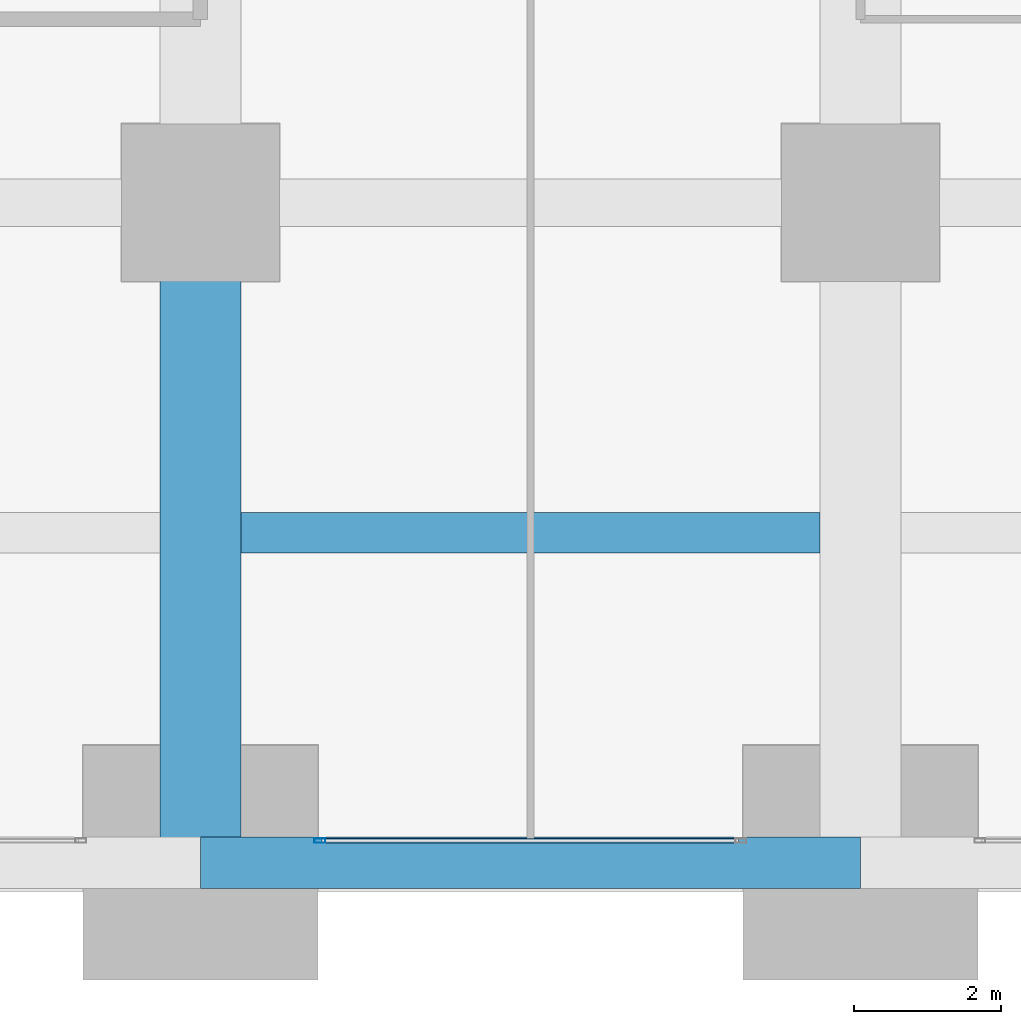
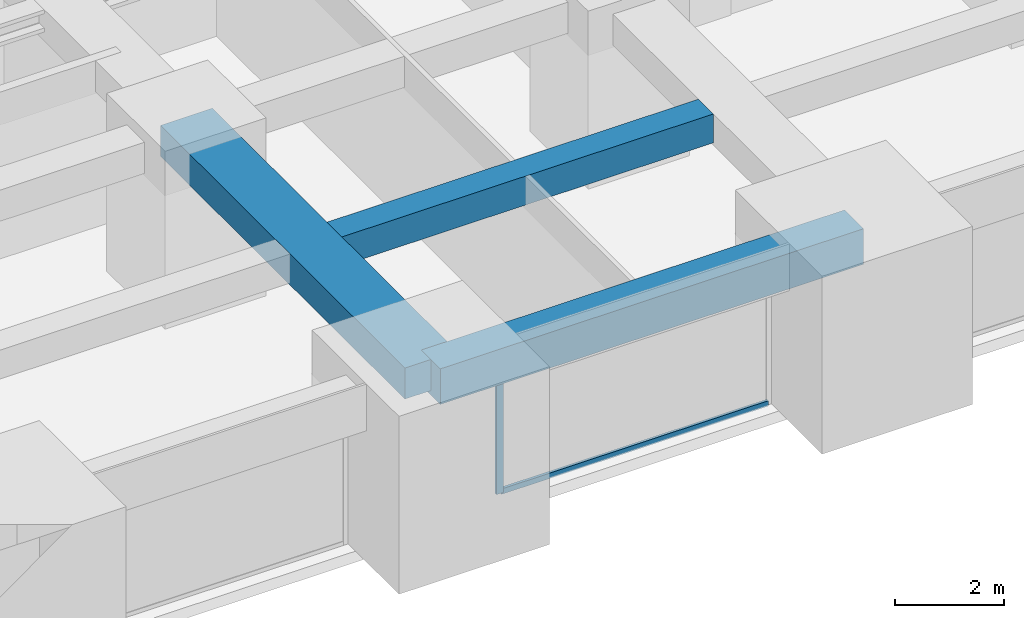
# One storey, part 7 of 41: 3 beams, 2 members, 1 element without a shape of its own.
"""IFC4 building model written with IfcOpenShell, lengths in metres."""

from ifc_helpers import new_model, si_unit, direction, frame, origin, origin_2d, place, context, subcontext, project, spatial, rectangle, hollow_rectangle, extrude, material, material_profile, profile_set, type_object, element, aggregate, save


model = new_model("IFC4")

# Units and contexts
model_context = context("Model", 3, precision=1e-05, world=origin(), true_north=direction((0.0, 1.0)))
body_context = subcontext(model_context, "Body", "Model", "MODEL_VIEW")
ifc_project = project(units=[si_unit("LENGTHUNIT", "METRE"), si_unit("AREAUNIT", "SQUARE_METRE"), si_unit("VOLUMEUNIT", "CUBIC_METRE"), si_unit("PLANEANGLEUNIT", "RADIAN"), si_unit("MASSUNIT", "GRAM", prefix="KILO")], contexts=[model_context])

# Site, building, storey
site_placement = place(None, origin())
site = spatial("IfcSite", under=ifc_project, at=site_placement, CompositionType="ELEMENT")
building_placement = place(site_placement, origin())
building = spatial("IfcBuilding", under=site, at=building_placement, Name="Zorevar Civic Tower", CompositionType="ELEMENT")
storey_placement = place(building_placement, frame((0.0, 0.0, 89.0)))
storey = spatial("IfcBuildingStorey", under=building, at=storey_placement, Name="L21", CompositionType="ELEMENT", Elevation=89.0)

# Beams
ifc_material_1 = material(Name="Concrete C50/60", Category="concrete")
ifc_material_profile_1 = material_profile(ifc_material_1, rectangle(XDim=1.10009765625, YDim=0.699951171875, at=origin_2d()), Name="RC 1100x700")
ifc_profile_set_1 = profile_set([ifc_material_profile_1], Name="Concrete C50/60")
beam_type_1 = type_object("IfcBeamType", Name="Beam RC 1100x700", PredefinedType="BEAM", material=ifc_profile_set_1)
beam_1_placement = place(storey_placement, frame((27.0, 0.0, 3.39990234375), z_axis=(0.0, 1.0, 0.0), x_axis=(-1.0, 0.0, 0.0)))
element("IfcBeam", 1, at=beam_1_placement, inside=storey, type_object=beam_type_1, Name="Girder L22", PredefinedType="BEAM", context=body_context, shape_type="SweptSolid", body=[
    extrude(rectangle(XDim=1.10009765625, YDim=0.699951171875, at=origin_2d()), origin(), (0.0, 0.0, 1.0), 9.0),
])
ifc_material_2 = material(Name="Concrete C50/60", Category="concrete")
ifc_material_profile_2 = material_profile(ifc_material_2, rectangle(XDim=0.550048828125, YDim=0.64990234375, at=origin_2d()), Name="RC 550x650")
ifc_profile_set_2 = profile_set([ifc_material_profile_2], Name="Concrete C50/60")
beam_type_2 = type_object("IfcBeamType", Name="Beam RC 550x650", PredefinedType="BEAM", material=ifc_profile_set_2)
beam_2_placement = place(storey_placement, frame((27.550048828125, 4.5, 3.425048828125), z_axis=(1.0, 0.0, 0.0), x_axis=(0.0, 1.0, 0.0)))
element("IfcBeam", 2, at=beam_2_placement, inside=storey, type_object=beam_type_2, Name="Secondary beam L22", PredefinedType="BEAM", context=body_context, shape_type="SweptSolid", body=[
    extrude(rectangle(XDim=0.550048828125, YDim=0.64990234375, at=origin_2d()), origin(), (0.0, 0.0, 1.0), 7.89990234375),
])

# Curtain wall, members
ifc_material_3 = material(Name="Dark grey solar-control glass in black aluminium frame", Category="aluminium")
curtain_wall_type = type_object("IfcCurtainWallType", Name="Curtain wall CW3 mid zone", PredefinedType="NOTDEFINED", material=ifc_material_3)
curtain_wall_placement = place(storey_placement, origin())
curtain_wall = element("IfcCurtainWall", 3, at=curtain_wall_placement, inside=storey, type_object=curtain_wall_type, Name="CW3 L21", PredefinedType="NOTDEFINED")
ifc_material_4 = material(Name="Aluminium, black anodised", Category="aluminium")
ifc_material_profile_3 = material_profile(ifc_material_4, hollow_rectangle(XDim=0.06005859375, YDim=0.14990234375, WallThickness=0.00390625, at=origin_2d()), Name="AL 150x60x4")
ifc_profile_set_3 = profile_set([ifc_material_profile_3], Name="Aluminium, black anodised")
member_type_1 = type_object("IfcMemberType", Name="CW3 mullion AL 150x60x4", PredefinedType="MULLION", material=ifc_profile_set_3)
member_1_placement = place(storey_placement, frame((28.6298828125, 0.300048828125, 0.0), z_axis=(0.0, 0.0, 1.0), x_axis=(0.0, 1.0, 0.0)))
member_1 = element("IfcMember", 4, at=member_1_placement, type_object=member_type_1, Name="CW3 mullion 1", PredefinedType="MULLION", context=body_context, shape_type="SweptSolid", body=[
    extrude(hollow_rectangle(XDim=0.06005859375, YDim=0.14990234375, WallThickness=0.00390625, at=origin_2d()), origin(), (0.0, 0.0, 1.0), 2.949951171875),
])
ifc_material_5 = material(Name="Aluminium, black anodised", Category="aluminium")
ifc_material_profile_4 = material_profile(ifc_material_5, hollow_rectangle(XDim=0.06005859375, YDim=0.1201171875, WallThickness=0.0029296875, at=origin_2d()), Name="AL 120x60x3")
ifc_profile_set_4 = profile_set([ifc_material_profile_4], Name="Aluminium, black anodised")
member_type_2 = type_object("IfcMemberType", Name="CW3 transom AL 120x60x3", PredefinedType="USERDEFINED", material=ifc_profile_set_4)
member_2_placement = place(storey_placement, frame((28.659912109375, 0.300048828125, 0.030029296875), z_axis=(1.0, 0.0, 0.0), x_axis=(0.0, 1.0, 0.0)))
member_2 = element("IfcMember", 5, at=member_2_placement, type_object=member_type_2, Name="CW3 sill transom", ObjectType="TRANSOM", PredefinedType="USERDEFINED", context=body_context, shape_type="SweptSolid", body=[
    extrude(hollow_rectangle(XDim=0.06005859375, YDim=0.1201171875, WallThickness=0.0029296875, at=origin_2d()), origin(), (0.0, 0.0, 1.0), 5.68017578125),
])
aggregate(curtain_wall, [member_1, member_2])

# Beam
ifc_material_6 = material(Name="Concrete C50/60", Category="concrete")
ifc_material_profile_5 = material_profile(ifc_material_6, rectangle(XDim=0.699951171875, YDim=0.800048828125, at=origin_2d()), Name="RC 700x800")
ifc_profile_set_5 = profile_set([ifc_material_profile_5], Name="Concrete C50/60")
beam_type_3 = type_object("IfcBeamType", Name="Edge beam RC 700x800", PredefinedType="SPANDREL", material=ifc_profile_set_5)
beam_3_placement = place(storey_placement, frame((27.0, 0.0, 3.35009765625), z_axis=(1.0, 0.0, 0.0), x_axis=(0.0, 1.0, 0.0)))
element("IfcBeam", 6, at=beam_3_placement, inside=storey, type_object=beam_type_3, Name="Edge beam L22", PredefinedType="SPANDREL", context=body_context, shape_type="SweptSolid", body=[
    extrude(rectangle(XDim=0.699951171875, YDim=0.800048828125, at=origin_2d()), origin(), (0.0, 0.0, 1.0), 9.0),
])

save(model, "model.ifc")
